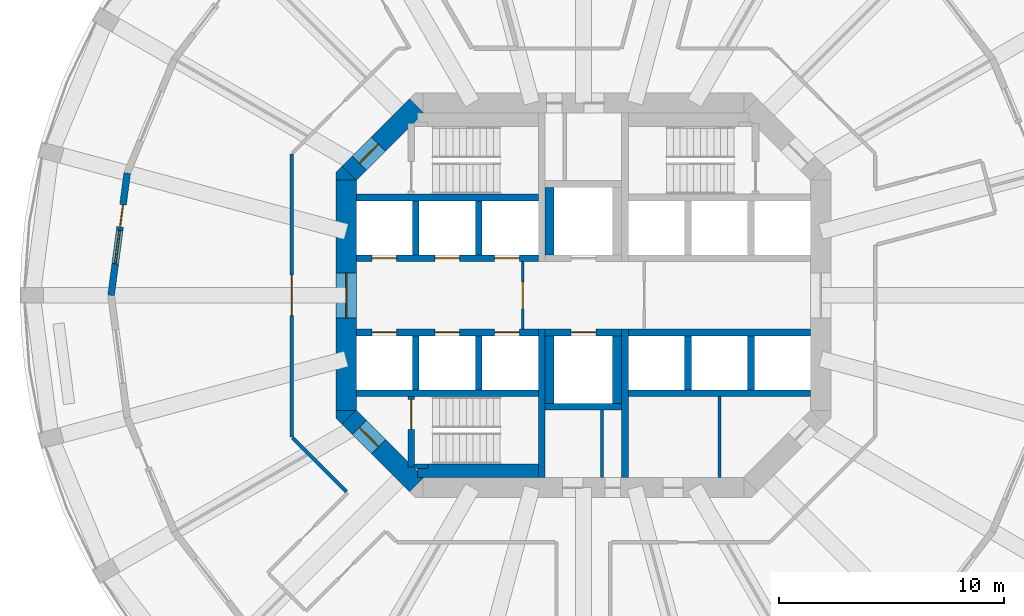
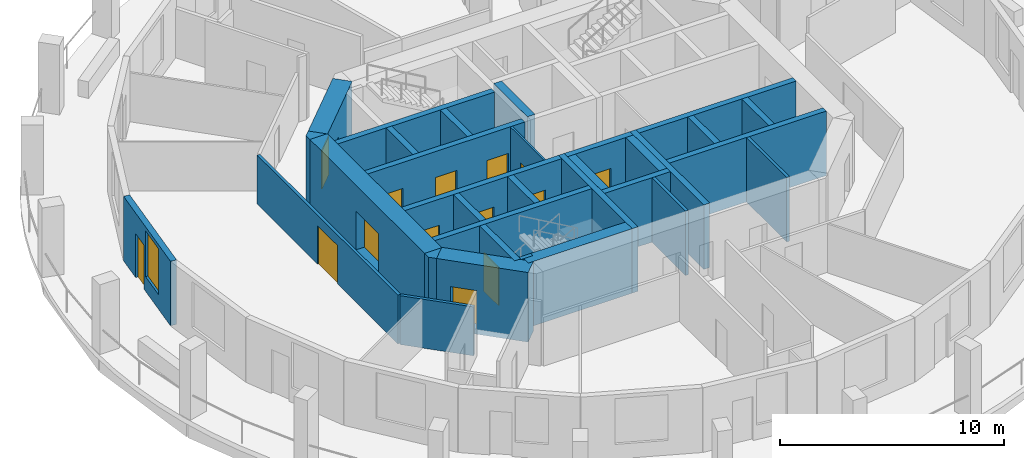
# One storey, part 3 of 8: 33 walls, 14 doors, 1 window, 15 openings.
"""IFC4 building model written with IfcOpenShell, lengths in metres."""

from ifc_helpers import new_model, si_unit, direction, frame, frame_2d, origin, place, context, subcontext, project, spatial, polyline, rectangle, outline, extrude, material, layer, layer_set, type_object, element, fill, save


model = new_model("IFC4")

# Units and contexts
model_context = context("Model", 3, precision=1e-05, world=origin(), true_north=direction((0.0, 1.0)))
body_context = subcontext(model_context, "Body", "Model", "MODEL_VIEW")
ifc_project = project(units=[si_unit("LENGTHUNIT", "METRE"), si_unit("AREAUNIT", "SQUARE_METRE"), si_unit("VOLUMEUNIT", "CUBIC_METRE"), si_unit("PLANEANGLEUNIT", "RADIAN"), si_unit("MASSUNIT", "GRAM", prefix="KILO")], contexts=[model_context])

# Site, building, storey
site_placement = place(None, origin())
site = spatial("IfcSite", under=ifc_project, at=site_placement, CompositionType="ELEMENT")
building_placement = place(site_placement, origin())
building = spatial("IfcBuilding", under=site, at=building_placement, Name="Torre Triforio", CompositionType="ELEMENT")
storey_placement = place(building_placement, frame((0.0, 0.0, 131.39990234375)))
storey = spatial("IfcBuildingStorey", under=building, at=storey_placement, Name="L29", CompositionType="ELEMENT", Elevation=131.39990234375)

# Walls
ifc_material_1 = material(Name="Concrete C60", Category="concrete")
ifc_layer_1 = layer(ifc_material_1, 0.300048828125)
ifc_layer_set_1 = layer_set([ifc_layer_1], Name="Concrete C60")
wall_type_1 = type_object("IfcWallType", Name="Core wall 300 mm C60 EI 120", PredefinedType="SHEAR", material=ifc_layer_set_1)
for number, where, z_axis, x_axis, name in (
    (1, (-1.85009765625, -8.10009765625, 0.0), (0.0, 0.0, 1.0), (0.0, 1.0, 0.0), "Core wall"),
    (2, (1.85009765625, -8.10009765625, 0.0), (0.0, 0.0, 1.0), (0.0, 1.0, 0.0), "Core wall"),
):
    element("IfcWall", number, at=place(storey_placement, frame(where, z_axis=z_axis, x_axis=x_axis)), inside=storey, type_object=wall_type_1, Name=name, PredefinedType="SHEAR", context=body_context, shape_type="SweptSolid", body=[
        extrude(rectangle(XDim=6.60009765625, YDim=0.300048828125, at=frame_2d((3.300048828125, 0.0))), origin(), (0.0, 0.0, 1.0), 3.52001953125),
    ])

# Wall, opening, door
ifc_layer_2 = layer(ifc_material_1, 0.89990234375)
ifc_layer_set_2 = layer_set([ifc_layer_2], Name="Concrete C60")
wall_type_2 = type_object("IfcWallType", Name="Core wall 900 mm C60 EI 120", PredefinedType="SHEAR", material=ifc_layer_set_2)
wall_1_placement = place(storey_placement, frame((-10.550048828125, -5.1298828125, -0.27978515625), z_axis=(0.0, 0.0, 1.0), x_axis=(0.0, 1.0, 0.0)))
wall_1 = element("IfcWall", 3, at=wall_1_placement, inside=storey, type_object=wall_type_2, Name="Core wall", PredefinedType="SHEAR", context=body_context, shape_type="SweptSolid", body=[
    extrude(rectangle(XDim=10.259765625, YDim=0.89990234375, at=frame_2d((5.1298828125, 0.0))), origin(), (0.0, 0.0, 1.0), 3.7998046875),
])
opening_1_placement = place(wall_1_placement, frame((4.1298828125, 0.0, 0.280029296875)))
opening_1 = element("IfcOpeningElement", 4, at=opening_1_placement, cuts=wall_1, Name="Opening W-RING", PredefinedType="OPENING", context=body_context, shape_type="SweptSolid", body=[
    extrude(rectangle(XDim=2.0, YDim=2.10009765625, at=frame_2d((1.0, 1.050048828125))), frame((0.0, 0.4599609375, 0.0), z_axis=(0.0, -1.0, 0.0), x_axis=(1.0, 0.0, 0.0)), (0.0, 0.0, 1.0), 0.919921875),
])
ifc_material_2 = material(Name="Hollow metal fire door leaf")
door_type_1 = type_object("IfcDoorType", Name="Lobby door 2000 x 2100 EI 60", OperationType="DOUBLE_DOOR_SINGLE_SWING", PredefinedType="DOOR", material=ifc_material_2)
door_1_placement = place(opening_1_placement, origin())
door_1 = element("IfcDoor", 5, at=door_1_placement, inside=storey, type_object=door_type_1, Name="Core door W-RING", OperationType="DOUBLE_DOOR_SINGLE_SWING", OverallHeight=2.10009765625, OverallWidth=2.0, PredefinedType="DOOR", context=body_context, shape_type="SweptSolid", body=[
    extrude(rectangle(XDim=2.0, YDim=2.10009765625, at=frame_2d((1.0, 1.050048828125))), frame((0.0, 0.02490234375, 0.0), z_axis=(0.0, -1.0, 0.0), x_axis=(1.0, 0.0, 0.0)), (0.0, 0.0, 1.0), 0.050048828125),
])
fill(opening_1, door_1)

wall_2_placement = place(storey_placement, frame((-10.418212890625, 5.418212890625, -0.27978515625), z_axis=(0.0, 0.0, 1.0), x_axis=(0.707106781187, 0.707106781187, 0.0)))
wall_2 = element("IfcWall", 6, at=wall_2_placement, inside=storey, type_object=wall_type_2, Name="Core wall", PredefinedType="SHEAR", context=body_context, shape_type="SweptSolid", body=[
    extrude(rectangle(XDim=4.24267578125, YDim=0.89990234375, at=frame_2d((2.121337890625, 0.0))), origin(), (0.0, 0.0, 1.0), 3.7998046875),
])
opening_2_placement = place(wall_2_placement, frame((0.64990234375, 0.0, 0.280029296875)))
opening_2 = element("IfcOpeningElement", 7, at=opening_2_placement, cuts=wall_2, Name="Opening ST1-EXIT", PredefinedType="OPENING", context=body_context, shape_type="SweptSolid", body=[
    extrude(rectangle(XDim=1.199951171875, YDim=2.10009765625, at=frame_2d((0.60009765625, 1.050048828125))), frame((0.0, 0.4599609375, 0.0), z_axis=(0.0, -1.0, 0.0), x_axis=(1.0, 0.0, 0.0)), (0.0, 0.0, 1.0), 0.919921875),
])
door_type_2 = type_object("IfcDoorType", Name="Stair lobby door 1200 x 2100 EI 60", OperationType="NOTDEFINED", PredefinedType="DOOR", material=ifc_material_2)
door_2_placement = place(opening_2_placement, origin())
door_2 = element("IfcDoor", 8, at=door_2_placement, inside=storey, type_object=door_type_2, Name="Core door ST1-EXIT", OperationType="SINGLE_SWING_RIGHT", OverallHeight=2.10009765625, OverallWidth=1.199951171875, PredefinedType="DOOR", context=body_context, shape_type="SweptSolid", body=[
    extrude(rectangle(XDim=1.199951171875, YDim=2.10009765625, at=frame_2d((0.60009765625, 1.050048828125))), frame((0.0, 0.02490234375, 0.0), z_axis=(0.0, -1.0, 0.0), x_axis=(1.0, 0.0, 0.0)), (0.0, 0.0, 1.0), 0.050048828125),
])
fill(opening_2, door_2)

wall_3_placement = place(storey_placement, frame((-7.418212890625, -8.418212890625, -0.27978515625), z_axis=(0.0, 0.0, 1.0), x_axis=(-0.707106781187, 0.707106781187, 0.0)))
wall_3 = element("IfcWall", 9, at=wall_3_placement, inside=storey, type_object=wall_type_2, Name="Core wall", PredefinedType="SHEAR", context=body_context, shape_type="SweptSolid", body=[
    extrude(rectangle(XDim=4.24267578125, YDim=0.89990234375, at=frame_2d((2.121337890625, 0.0))), origin(), (0.0, 0.0, 1.0), 3.7998046875),
])
opening_3_placement = place(wall_3_placement, frame((2.392578125, 0.0, 0.280029296875)))
opening_3 = element("IfcOpeningElement", 10, at=opening_3_placement, cuts=wall_3, Name="Opening ST3-EXIT", PredefinedType="OPENING", context=body_context, shape_type="SweptSolid", body=[
    extrude(rectangle(XDim=1.199951171875, YDim=2.10009765625, at=frame_2d((0.60009765625, 1.050048828125))), frame((0.0, 0.4599609375, 0.0), z_axis=(0.0, -1.0, 0.0), x_axis=(1.0, 0.0, 0.0)), (0.0, 0.0, 1.0), 0.919921875),
])
door_3_placement = place(opening_3_placement, origin())
door_3 = element("IfcDoor", 11, at=door_3_placement, inside=storey, type_object=door_type_2, Name="Core door ST3-EXIT", OperationType="SINGLE_SWING_RIGHT", OverallHeight=2.10009765625, OverallWidth=1.199951171875, PredefinedType="DOOR", context=body_context, shape_type="SweptSolid", body=[
    extrude(rectangle(XDim=1.199951171875, YDim=2.10009765625, at=frame_2d((0.60009765625, 1.050048828125))), frame((0.0, 0.02490234375, 0.0), z_axis=(0.0, -1.0, 0.0), x_axis=(1.0, 0.0, 0.0)), (0.0, 0.0, 1.0), 0.050048828125),
])
fill(opening_3, door_3)

# Walls
wall_4_placement = place(storey_placement, frame((0.0, 0.0, -0.27978515625)))
element("IfcWall", 12, at=wall_4_placement, inside=storey, type_object=wall_type_2, Name="Core wall", PredefinedType="SHEAR", context=body_context, shape_type="SweptSolid", body=[
    extrude(outline(polyline([(-11.0, -5.472900390625), (-11.0, -5.1298828125), (-10.1298828125, -5.1298828125), (-10.736328125, -5.736328125), (-11.0, -5.472900390625)])), origin(), (0.0, 0.0, 1.0), 3.7998046875),
])
wall_5_placement = place(storey_placement, frame((0.0, 0.0, -0.27978515625)))
element("IfcWall", 13, at=wall_5_placement, inside=storey, type_object=wall_type_2, Name="Core wall", PredefinedType="SHEAR", context=body_context, shape_type="SweptSolid", body=[
    extrude(outline(polyline([(-10.736328125, 5.736328125), (-10.1298828125, 5.1298828125), (-11.0, 5.1298828125), (-11.0, 5.472900390625), (-10.736328125, 5.736328125)])), origin(), (0.0, 0.0, 1.0), 3.7998046875),
])
ifc_material_3 = material(Name="Plasterboard on metal studs")
ifc_layer_3 = layer(ifc_material_3, 0.14990234375)
ifc_layer_set_3 = layer_set([ifc_layer_3], Name="Plasterboard on metal studs")
wall_type_3 = type_object("IfcWallType", Name="Corridor and tenancy wall 150 mm EI 60", PredefinedType="PARTITIONING", material=ifc_layer_set_3)
wall_6_placement = place(storey_placement, frame((-10.534423828125, -8.7314453125, 0.0), z_axis=(0.0, 0.0, 1.0), x_axis=(-0.707106781187, 0.707106781187, 0.0)))
element("IfcWall", 14, at=wall_6_placement, inside=storey, type_object=wall_type_3, Name="Partition 3", PredefinedType="PARTITIONING", context=body_context, shape_type="SweptSolid", body=[
    extrude(rectangle(XDim=3.399169921875, YDim=0.14990234375, at=frame_2d((1.69970703125, 0.0))), origin(), (0.0, 0.0, 1.0), 2.670166015625),
])

# Wall, opening, door
wall_7_placement = place(storey_placement, frame((-12.97509765625, -6.291015625, 0.0), z_axis=(0.0, 0.0, 1.0), x_axis=(0.0, 1.0, 0.0)))
wall_7 = element("IfcWall", 15, at=wall_7_placement, inside=storey, type_object=wall_type_3, Name="Partition 4", PredefinedType="PARTITIONING", context=body_context, shape_type="SweptSolid", body=[
    extrude(rectangle(XDim=12.58203125, YDim=0.14990234375, at=frame_2d((6.291015625, 0.0))), origin(), (0.0, 0.0, 1.0), 2.670166015625),
])
opening_4_placement = place(wall_7_placement, frame((5.390869140625, 0.0, 0.0)))
opening_4 = element("IfcOpeningElement", 16, at=opening_4_placement, cuts=wall_7, Name="Opening D2-01", PredefinedType="OPENING", context=body_context, shape_type="SweptSolid", body=[
    extrude(rectangle(XDim=1.800048828125, YDim=2.10009765625, at=frame_2d((0.89990234375, 1.050048828125))), frame((0.0, 0.0849609375, 0.0), z_axis=(0.0, -1.0, 0.0), x_axis=(1.0, 0.0, 0.0)), (0.0, 0.0, 1.0), 0.169921875),
])
ifc_material_4 = material(Name="Timber", Category="wood")
door_type_3 = type_object("IfcDoorType", Name="Door 1800 x 2100 double leaf EI 30", OperationType="DOUBLE_DOOR_SINGLE_SWING", PredefinedType="DOOR", material=ifc_material_4)
door_4_placement = place(opening_4_placement, origin())
door_4 = element("IfcDoor", 17, at=door_4_placement, inside=storey, type_object=door_type_3, Name="Door D2-01", OperationType="DOUBLE_DOOR_SINGLE_SWING", OverallHeight=2.10009765625, OverallWidth=1.800048828125, PredefinedType="DOOR", context=body_context, shape_type="SweptSolid", body=[
    extrude(rectangle(XDim=1.800048828125, YDim=2.10009765625, at=frame_2d((0.89990234375, 1.050048828125))), frame((0.0, 0.02490234375, 0.0), z_axis=(0.0, -1.0, 0.0), x_axis=(1.0, 0.0, 0.0)), (0.0, 0.0, 1.0), 0.050048828125),
])
fill(opening_4, door_4)

ifc_material_5 = material(Name="Block and board partition")
ifc_layer_4 = layer(ifc_material_5, 0.10009765625)
ifc_layer_set_4 = layer_set([ifc_layer_4], Name="Block and board partition")
wall_type_4 = type_object("IfcWallType", Name="Partition 100 mm EI 120", PredefinedType="PARTITIONING", material=ifc_layer_set_4)
wall_8_placement = place(storey_placement, frame((-2.699951171875, -1.5, 0.0), z_axis=(0.0, 0.0, 1.0), x_axis=(0.0, 1.0, 0.0)))
wall_8 = element("IfcWall", 18, at=wall_8_placement, inside=storey, type_object=wall_type_4, Name="Partition", PredefinedType="PARTITIONING", context=body_context, shape_type="SweptSolid", body=[
    extrude(rectangle(XDim=3.0, YDim=0.10009765625, at=frame_2d((1.5, 0.0))), origin(), (0.0, 0.0, 1.0), 3.52001953125),
])
opening_5_placement = place(wall_8_placement, frame((0.89990234375, 0.0, 0.0)))
opening_5 = element("IfcOpeningElement", 19, at=opening_5_placement, cuts=wall_8, Name="Opening FF-W", PredefinedType="OPENING", context=body_context, shape_type="SweptSolid", body=[
    extrude(rectangle(XDim=1.199951171875, YDim=2.10009765625, at=frame_2d((0.60009765625, 1.050048828125))), frame((0.0, 0.06005859375, 0.0), z_axis=(0.0, -1.0, 0.0), x_axis=(1.0, 0.0, 0.0)), (0.0, 0.0, 1.0), 0.1201171875),
])
door_type_4 = type_object("IfcDoorType", Name="Fire-fighting lobby door 1200 x 2100 EI 60", OperationType="NOTDEFINED", PredefinedType="DOOR", material=ifc_material_2)
door_5_placement = place(opening_5_placement, origin())
door_5 = element("IfcDoor", 20, at=door_5_placement, inside=storey, type_object=door_type_4, Name="Core door FF-W", OperationType="SINGLE_SWING_RIGHT", OverallHeight=2.10009765625, OverallWidth=1.199951171875, PredefinedType="DOOR", context=body_context, shape_type="SweptSolid", body=[
    extrude(rectangle(XDim=1.199951171875, YDim=2.10009765625, at=frame_2d((0.60009765625, 1.050048828125))), frame((0.0, 0.02490234375, 0.0), z_axis=(0.0, -1.0, 0.0), x_axis=(1.0, 0.0, 0.0)), (0.0, 0.0, 1.0), 0.050048828125),
])
fill(opening_5, door_5)

# Walls
ifc_layer_5 = layer(ifc_material_5, 0.14990234375)
ifc_layer_set_5 = layer_set([ifc_layer_5], Name="Block and board partition")
wall_type_5 = type_object("IfcWallType", Name="Partition 150 mm", PredefinedType="PARTITIONING", material=ifc_layer_set_5)
wall_9_placement = place(storey_placement, frame((6.050048828125, -8.10009765625, 0.0), z_axis=(0.0, 0.0, 1.0), x_axis=(0.0, 1.0, 0.0)))
element("IfcWall", 21, at=wall_9_placement, inside=storey, type_object=wall_type_5, Name="Partition", PredefinedType="PARTITIONING", context=body_context, shape_type="SweptSolid", body=[
    extrude(rectangle(XDim=3.60009765625, YDim=0.14990234375, at=frame_2d((1.800048828125, 0.0))), origin(), (0.0, 0.0, 1.0), 3.52001953125),
])
ifc_layer_6 = layer(ifc_material_5, 0.14990234375)
ifc_layer_set_6 = layer_set([ifc_layer_6], Name="Block and board partition")
wall_type_6 = type_object("IfcWallType", Name="Partition 150 mm EI 120", PredefinedType="PARTITIONING", material=ifc_layer_set_6)
wall_10_placement = place(storey_placement, frame((0.824951171875, -8.10009765625, 0.0), z_axis=(0.0, 0.0, 1.0), x_axis=(0.0, 1.0, 0.0)))
element("IfcWall", 22, at=wall_10_placement, inside=storey, type_object=wall_type_6, Name="Partition", PredefinedType="PARTITIONING", context=body_context, shape_type="SweptSolid", body=[
    extrude(rectangle(XDim=3.0, YDim=0.14990234375, at=frame_2d((1.5, 0.0))), origin(), (0.0, 0.0, 1.0), 3.52001953125),
])
ifc_layer_7 = layer(ifc_material_1, 0.300048828125)
ifc_layer_set_7 = layer_set([ifc_layer_7], Name="Concrete C60")
wall_type_7 = type_object("IfcWallType", Name="Shaft wall 300 mm C60 EI 120", PredefinedType="SOLIDWALL", material=ifc_layer_set_7)
for number, where, z_axis, x_axis, name in (
    (23, (-10.10009765625, 4.35009765625, 0.0), (0.0, 0.0, 1.0), (1.0, 0.0, 0.0), "Shaft wall"),
    (24, (-10.10009765625, -4.35009765625, 0.0), (0.0, 0.0, 1.0), (1.0, 0.0, 0.0), "Shaft wall"),
    (25, (2.0, -4.35009765625, 0.0), (0.0, 0.0, 1.0), (1.0, 0.0, 0.0), "Shaft wall"),
):
    element("IfcWall", number, at=place(storey_placement, frame(where, z_axis=z_axis, x_axis=x_axis)), inside=storey, type_object=wall_type_7, Name=name, PredefinedType="SOLIDWALL", context=body_context, shape_type="SweptSolid", body=[
        extrude(rectangle(XDim=8.10009765625, YDim=0.300048828125, at=frame_2d((4.050048828125, 0.0))), origin(), (0.0, 0.0, 1.0), 3.52001953125),
    ])

# Wall, openings, doors
wall_11_placement = place(storey_placement, frame((-10.10009765625, 1.64990234375, 0.0), z_axis=(0.0, 0.0, 1.0), x_axis=(1.0, 0.0, 0.0)))
wall_11 = element("IfcWall", 26, at=wall_11_placement, inside=storey, type_object=wall_type_7, Name="Shaft wall", PredefinedType="SOLIDWALL", context=body_context, shape_type="SweptSolid", body=[
    extrude(rectangle(XDim=8.10009765625, YDim=0.300048828125, at=frame_2d((4.050048828125, 0.0))), origin(), (0.0, 0.0, 1.0), 3.52001953125),
])
opening_6_placement = place(wall_11_placement, frame((0.699951171875, 0.0, 0.0)))
opening_6 = element("IfcOpeningElement", 27, at=opening_6_placement, cuts=wall_11, Name="Opening LD", PredefinedType="OPENING", context=body_context, shape_type="SweptSolid", body=[
    extrude(rectangle(XDim=1.10009765625, YDim=2.10009765625, at=frame_2d((0.550048828125, 1.050048828125))), frame((0.0, 0.159912109375, 0.0), z_axis=(0.0, -1.0, 0.0), x_axis=(1.0, 0.0, 0.0)), (0.0, 0.0, 1.0), 0.320068359375),
])
opening_7_placement = place(wall_11_placement, frame((3.5, 0.0, 0.0)))
opening_7 = element("IfcOpeningElement", 28, at=opening_7_placement, cuts=wall_11, Name="Opening LD", PredefinedType="OPENING", context=body_context, shape_type="SweptSolid", body=[
    extrude(rectangle(XDim=1.10009765625, YDim=2.10009765625, at=frame_2d((0.550048828125, 1.050048828125))), frame((0.0, 0.159912109375, 0.0), z_axis=(0.0, -1.0, 0.0), x_axis=(1.0, 0.0, 0.0)), (0.0, 0.0, 1.0), 0.320068359375),
])
opening_8_placement = place(wall_11_placement, frame((6.14990234375, 0.0, 0.0)))
opening_8 = element("IfcOpeningElement", 29, at=opening_8_placement, cuts=wall_11, Name="Opening LD", PredefinedType="OPENING", context=body_context, shape_type="SweptSolid", body=[
    extrude(rectangle(XDim=1.10009765625, YDim=2.10009765625, at=frame_2d((0.550048828125, 1.050048828125))), frame((0.0, 0.159912109375, 0.0), z_axis=(0.0, -1.0, 0.0), x_axis=(1.0, 0.0, 0.0)), (0.0, 0.0, 1.0), 0.320068359375),
])
door_type_5 = type_object("IfcDoorType", Name="Landing door 1100 x 2100 EI 60", OperationType="DOUBLE_DOOR_SLIDING", PredefinedType="DOOR", material=ifc_material_2)
door_6_placement = place(opening_6_placement, origin())
door_6 = element("IfcDoor", 30, at=door_6_placement, inside=storey, type_object=door_type_5, Name="Landing door LR1", OperationType="DOUBLE_DOOR_SLIDING", OverallHeight=2.10009765625, OverallWidth=1.10009765625, PredefinedType="DOOR", context=body_context, shape_type="SweptSolid", body=[
    extrude(rectangle(XDim=1.10009765625, YDim=2.10009765625, at=frame_2d((0.550048828125, 1.050048828125))), frame((0.0, 0.02490234375, 0.0), z_axis=(0.0, -1.0, 0.0), x_axis=(1.0, 0.0, 0.0)), (0.0, 0.0, 1.0), 0.050048828125),
])
fill(opening_6, door_6)
door_7_placement = place(opening_7_placement, origin())
door_7 = element("IfcDoor", 31, at=door_7_placement, inside=storey, type_object=door_type_5, Name="Landing door LR2", OperationType="DOUBLE_DOOR_SLIDING", OverallHeight=2.10009765625, OverallWidth=1.10009765625, PredefinedType="DOOR", context=body_context, shape_type="SweptSolid", body=[
    extrude(rectangle(XDim=1.10009765625, YDim=2.10009765625, at=frame_2d((0.550048828125, 1.050048828125))), frame((0.0, 0.02490234375, 0.0), z_axis=(0.0, -1.0, 0.0), x_axis=(1.0, 0.0, 0.0)), (0.0, 0.0, 1.0), 0.050048828125),
])
fill(opening_7, door_7)
door_8_placement = place(opening_8_placement, origin())
door_8 = element("IfcDoor", 32, at=door_8_placement, inside=storey, type_object=door_type_5, Name="Landing door LR3", OperationType="DOUBLE_DOOR_SLIDING", OverallHeight=2.10009765625, OverallWidth=1.10009765625, PredefinedType="DOOR", context=body_context, shape_type="SweptSolid", body=[
    extrude(rectangle(XDim=1.10009765625, YDim=2.10009765625, at=frame_2d((0.550048828125, 1.050048828125))), frame((0.0, 0.02490234375, 0.0), z_axis=(0.0, -1.0, 0.0), x_axis=(1.0, 0.0, 0.0)), (0.0, 0.0, 1.0), 0.050048828125),
])
fill(opening_8, door_8)

wall_12_placement = place(storey_placement, frame((-10.10009765625, -1.64990234375, 0.0), z_axis=(0.0, 0.0, 1.0), x_axis=(1.0, 0.0, 0.0)))
wall_12 = element("IfcWall", 33, at=wall_12_placement, inside=storey, type_object=wall_type_7, Name="Shaft wall", PredefinedType="SOLIDWALL", context=body_context, shape_type="SweptSolid", body=[
    extrude(rectangle(XDim=8.10009765625, YDim=0.300048828125, at=frame_2d((4.050048828125, 0.0))), origin(), (0.0, 0.0, 1.0), 3.52001953125),
])
opening_9_placement = place(wall_12_placement, frame((0.699951171875, 0.0, 0.0)))
opening_9 = element("IfcOpeningElement", 34, at=opening_9_placement, cuts=wall_12, Name="Opening LD", PredefinedType="OPENING", context=body_context, shape_type="SweptSolid", body=[
    extrude(rectangle(XDim=1.10009765625, YDim=2.10009765625, at=frame_2d((0.550048828125, 1.050048828125))), frame((0.0, 0.159912109375, 0.0), z_axis=(0.0, -1.0, 0.0), x_axis=(1.0, 0.0, 0.0)), (0.0, 0.0, 1.0), 0.320068359375),
])
opening_10_placement = place(wall_12_placement, frame((3.5, 0.0, 0.0)))
opening_10 = element("IfcOpeningElement", 35, at=opening_10_placement, cuts=wall_12, Name="Opening LD", PredefinedType="OPENING", context=body_context, shape_type="SweptSolid", body=[
    extrude(rectangle(XDim=1.10009765625, YDim=2.10009765625, at=frame_2d((0.550048828125, 1.050048828125))), frame((0.0, 0.159912109375, 0.0), z_axis=(0.0, -1.0, 0.0), x_axis=(1.0, 0.0, 0.0)), (0.0, 0.0, 1.0), 0.320068359375),
])
opening_11_placement = place(wall_12_placement, frame((6.14990234375, 0.0, 0.0)))
opening_11 = element("IfcOpeningElement", 36, at=opening_11_placement, cuts=wall_12, Name="Opening LD", PredefinedType="OPENING", context=body_context, shape_type="SweptSolid", body=[
    extrude(rectangle(XDim=1.10009765625, YDim=2.10009765625, at=frame_2d((0.550048828125, 1.050048828125))), frame((0.0, 0.159912109375, 0.0), z_axis=(0.0, -1.0, 0.0), x_axis=(1.0, 0.0, 0.0)), (0.0, 0.0, 1.0), 0.320068359375),
])
door_9_placement = place(opening_9_placement, origin())
door_9 = element("IfcDoor", 37, at=door_9_placement, inside=storey, type_object=door_type_5, Name="Landing door LR4", OperationType="DOUBLE_DOOR_SLIDING", OverallHeight=2.10009765625, OverallWidth=1.10009765625, PredefinedType="DOOR", context=body_context, shape_type="SweptSolid", body=[
    extrude(rectangle(XDim=1.10009765625, YDim=2.10009765625, at=frame_2d((0.550048828125, 1.050048828125))), frame((0.0, 0.02490234375, 0.0), z_axis=(0.0, -1.0, 0.0), x_axis=(1.0, 0.0, 0.0)), (0.0, 0.0, 1.0), 0.050048828125),
])
fill(opening_9, door_9)
door_10_placement = place(opening_10_placement, origin())
door_10 = element("IfcDoor", 38, at=door_10_placement, inside=storey, type_object=door_type_5, Name="Landing door LR5", OperationType="DOUBLE_DOOR_SLIDING", OverallHeight=2.10009765625, OverallWidth=1.10009765625, PredefinedType="DOOR", context=body_context, shape_type="SweptSolid", body=[
    extrude(rectangle(XDim=1.10009765625, YDim=2.10009765625, at=frame_2d((0.550048828125, 1.050048828125))), frame((0.0, 0.02490234375, 0.0), z_axis=(0.0, -1.0, 0.0), x_axis=(1.0, 0.0, 0.0)), (0.0, 0.0, 1.0), 0.050048828125),
])
fill(opening_10, door_10)
door_11_placement = place(opening_11_placement, origin())
door_11 = element("IfcDoor", 39, at=door_11_placement, inside=storey, type_object=door_type_5, Name="Landing door LR6", OperationType="DOUBLE_DOOR_SLIDING", OverallHeight=2.10009765625, OverallWidth=1.10009765625, PredefinedType="DOOR", context=body_context, shape_type="SweptSolid", body=[
    extrude(rectangle(XDim=1.10009765625, YDim=2.10009765625, at=frame_2d((0.550048828125, 1.050048828125))), frame((0.0, 0.02490234375, 0.0), z_axis=(0.0, -1.0, 0.0), x_axis=(1.0, 0.0, 0.0)), (0.0, 0.0, 1.0), 0.050048828125),
])
fill(opening_11, door_11)

# Walls
wall_13_placement = place(storey_placement, frame((2.0, -1.64990234375, 0.0), z_axis=(0.0, 0.0, 1.0), x_axis=(1.0, 0.0, 0.0)))
element("IfcWall", 40, at=wall_13_placement, inside=storey, type_object=wall_type_7, Name="Shaft wall", PredefinedType="SOLIDWALL", context=body_context, shape_type="SweptSolid", body=[
    extrude(rectangle(XDim=8.10009765625, YDim=0.300048828125, at=frame_2d((4.050048828125, 0.0))), origin(), (0.0, 0.0, 1.0), 3.52001953125),
])
for number, where, z_axis, x_axis, name in (
    (41, (-7.449951171875, 1.800048828125, 0.0), (0.0, 0.0, 1.0), (0.0, 1.0, 0.0), "Shaft wall"),
    (42, (-7.449951171875, -4.199951171875, 0.0), (0.0, 0.0, 1.0), (0.0, 1.0, 0.0), "Shaft wall"),
    (43, (-4.64990234375, 1.800048828125, 0.0), (0.0, 0.0, 1.0), (0.0, 1.0, 0.0), "Shaft wall"),
    (44, (-4.64990234375, -4.199951171875, 0.0), (0.0, 0.0, 1.0), (0.0, 1.0, 0.0), "Shaft wall"),
    (45, (4.64990234375, -4.199951171875, 0.0), (0.0, 0.0, 1.0), (0.0, 1.0, 0.0), "Shaft wall"),
    (46, (7.449951171875, -4.199951171875, 0.0), (0.0, 0.0, 1.0), (0.0, 1.0, 0.0), "Shaft wall"),
):
    element("IfcWall", number, at=place(storey_placement, frame(where, z_axis=z_axis, x_axis=x_axis)), inside=storey, type_object=wall_type_7, Name=name, PredefinedType="SOLIDWALL", context=body_context, shape_type="SweptSolid", body=[
        extrude(rectangle(XDim=2.39990234375, YDim=0.300048828125, at=frame_2d((1.199951171875, 0.0))), origin(), (0.0, 0.0, 1.0), 3.52001953125),
    ])

# Wall, opening, door
wall_14_placement = place(storey_placement, frame((-1.699951171875, -1.64990234375, 0.0), z_axis=(0.0, 0.0, 1.0), x_axis=(1.0, 0.0, 0.0)))
wall_14 = element("IfcWall", 47, at=wall_14_placement, inside=storey, type_object=wall_type_7, Name="Shaft wall", PredefinedType="SOLIDWALL", context=body_context, shape_type="SweptSolid", body=[
    extrude(rectangle(XDim=3.39990234375, YDim=0.300048828125, at=frame_2d((1.699951171875, 0.0))), origin(), (0.0, 0.0, 1.0), 3.52001953125),
])
opening_12_placement = place(wall_14_placement, frame((1.14990234375, 0.0, 0.0)))
opening_12 = element("IfcOpeningElement", 48, at=opening_12_placement, cuts=wall_14, Name="Opening LD", PredefinedType="OPENING", context=body_context, shape_type="SweptSolid", body=[
    extrude(rectangle(XDim=1.10009765625, YDim=2.10009765625, at=frame_2d((0.550048828125, 1.050048828125))), frame((0.0, 0.159912109375, 0.0), z_axis=(0.0, -1.0, 0.0), x_axis=(1.0, 0.0, 0.0)), (0.0, 0.0, 1.0), 0.320068359375),
])
door_12_placement = place(opening_12_placement, origin())
door_12 = element("IfcDoor", 49, at=door_12_placement, inside=storey, type_object=door_type_5, Name="Landing door FFL2", OperationType="DOUBLE_DOOR_SLIDING", OverallHeight=2.10009765625, OverallWidth=1.10009765625, PredefinedType="DOOR", context=body_context, shape_type="SweptSolid", body=[
    extrude(rectangle(XDim=1.10009765625, YDim=2.10009765625, at=frame_2d((0.550048828125, 1.050048828125))), frame((0.0, 0.02490234375, 0.0), z_axis=(0.0, -1.0, 0.0), x_axis=(1.0, 0.0, 0.0)), (0.0, 0.0, 1.0), 0.050048828125),
])
fill(opening_12, door_12)

# Walls
wall_15_placement = place(storey_placement, frame((-1.699951171875, -4.949951171875, 0.0), z_axis=(0.0, 0.0, 1.0), x_axis=(1.0, 0.0, 0.0)))
element("IfcWall", 50, at=wall_15_placement, inside=storey, type_object=wall_type_7, Name="Shaft wall", PredefinedType="SOLIDWALL", context=body_context, shape_type="SweptSolid", body=[
    extrude(rectangle(XDim=3.39990234375, YDim=0.300048828125, at=frame_2d((1.699951171875, 0.0))), origin(), (0.0, 0.0, 1.0), 3.52001953125),
])
ifc_layer_8 = layer(ifc_material_1, 0.39990234375)
ifc_layer_set_8 = layer_set([ifc_layer_8], Name="Concrete C60")
wall_type_8 = type_object("IfcWallType", Name="Shaft wall 400 mm C60 EI 120", PredefinedType="SOLIDWALL", material=ifc_layer_set_8)
for number, where, z_axis, x_axis, name in (
    (51, (-1.5, 1.800048828125, 0.0), (0.0, 0.0, 1.0), (0.0, 1.0, 0.0), "Shaft wall"),
    (52, (-1.5, -4.800048828125, 0.0), (0.0, 0.0, 1.0), (0.0, 1.0, 0.0), "Shaft wall"),
    (53, (1.5, -4.800048828125, 0.0), (0.0, 0.0, 1.0), (0.0, 1.0, 0.0), "Shaft wall"),
):
    element("IfcWall", number, at=place(storey_placement, frame(where, z_axis=z_axis, x_axis=x_axis)), inside=storey, type_object=wall_type_8, Name=name, PredefinedType="SOLIDWALL", context=body_context, shape_type="SweptSolid", body=[
        extrude(rectangle(XDim=3.0, YDim=0.39990234375, at=frame_2d((1.5, 0.0))), origin(), (0.0, 0.0, 1.0), 3.52001953125),
    ])
ifc_layer_9 = layer(ifc_material_1, 0.199951171875)
ifc_layer_set_9 = layer_set([ifc_layer_9], Name="Concrete C60")
wall_type_9 = type_object("IfcWallType", Name="Stair wall 200 mm C60 EI 120", PredefinedType="SHEAR", material=ifc_layer_set_9)
wall_16_placement = place(storey_placement, frame((-7.5, -7.60009765625, 0.0), z_axis=(0.0, 0.0, 1.0), x_axis=(1.0, 0.0, 0.0)))
element("IfcWall", 54, at=wall_16_placement, inside=storey, type_object=wall_type_9, Name="Stair wall", PredefinedType="SHEAR", context=body_context, shape_type="SweptSolid", body=[
    extrude(rectangle(XDim=0.60009765625, YDim=0.199951171875, at=frame_2d((0.300048828125, 0.0))), origin(), (0.0, 0.0, 1.0), 3.52001953125),
])

# Wall, opening, door
ifc_layer_10 = layer(ifc_material_1, 0.300048828125)
ifc_layer_set_10 = layer_set([ifc_layer_10], Name="Concrete C60")
wall_type_10 = type_object("IfcWallType", Name="Stair wall 300 mm C60 EI 120", PredefinedType="SHEAR", material=ifc_layer_set_10)
wall_17_placement = place(storey_placement, frame((-7.64990234375, -7.639892578125, 0.0), z_axis=(0.0, 0.0, 1.0), x_axis=(0.0, 1.0, 0.0)))
wall_17 = element("IfcWall", 55, at=wall_17_placement, inside=storey, type_object=wall_type_10, Name="Stair wall", PredefinedType="SHEAR", context=body_context, shape_type="SweptSolid", body=[
    extrude(rectangle(XDim=3.139892578125, YDim=0.300048828125, at=frame_2d((1.56982421875, 0.0))), origin(), (0.0, 0.0, 1.0), 3.52001953125),
])
opening_13_placement = place(wall_17_placement, frame((1.679931640625, 0.0, 0.0)))
opening_13 = element("IfcOpeningElement", 56, at=opening_13_placement, cuts=wall_17, Name="Opening ST3-STA", PredefinedType="OPENING", context=body_context, shape_type="SweptSolid", body=[
    extrude(rectangle(XDim=1.320068359375, YDim=2.10009765625, at=frame_2d((0.66015625, 1.050048828125))), frame((0.0, 0.159912109375, 0.0), z_axis=(0.0, -1.0, 0.0), x_axis=(1.0, 0.0, 0.0)), (0.0, 0.0, 1.0), 0.320068359375),
])
door_type_6 = type_object("IfcDoorType", Name="Stair door 1320 x 2100 EI 90", OperationType="DOUBLE_DOOR_SINGLE_SWING", PredefinedType="DOOR", material=ifc_material_2)
door_13_placement = place(opening_13_placement, origin())
door_13 = element("IfcDoor", 57, at=door_13_placement, inside=storey, type_object=door_type_6, Name="Core door ST3-ST", OperationType="DOUBLE_DOOR_SINGLE_SWING", OverallHeight=2.10009765625, OverallWidth=1.320068359375, PredefinedType="DOOR", context=body_context, shape_type="SweptSolid", body=[
    extrude(rectangle(XDim=1.320068359375, YDim=2.10009765625, at=frame_2d((0.66015625, 1.050048828125))), frame((0.0, 0.02490234375, 0.0), z_axis=(0.0, -1.0, 0.0), x_axis=(1.0, 0.0, 0.0)), (0.0, 0.0, 1.0), 0.050048828125),
])
fill(opening_13, door_13)

# Wall
ifc_layer_11 = layer(ifc_material_1, 0.60009765625)
ifc_layer_set_11 = layer_set([ifc_layer_11], Name="Concrete C60")
wall_type_11 = type_object("IfcWallType", Name="Stair wall 600 mm C60 EI 120", PredefinedType="SHEAR", material=ifc_layer_set_11)
wall_18_placement = place(storey_placement, frame((-7.3701171875, -7.800048828125, 0.0), z_axis=(0.0, 0.0, 1.0), x_axis=(1.0, 0.0, 0.0)))
element("IfcWall", 58, at=wall_18_placement, inside=storey, type_object=wall_type_11, Name="Stair wall", PredefinedType="SHEAR", context=body_context, shape_type="SweptSolid", body=[
    extrude(rectangle(XDim=5.3701171875, YDim=0.60009765625, at=frame_2d((2.68505859375, 0.0))), origin(), (0.0, 0.0, 1.0), 3.52001953125),
])

# Wall, openings, door, window
ifc_material_6 = material(Name="Limestone cladding", Category="masonry")
ifc_layer_12 = layer(ifc_material_6, 0.10009765625)
ifc_material_7 = material(Name="Concrete C40", Category="concrete")
ifc_layer_13 = layer(ifc_material_7, 0.199951171875)
ifc_layer_set_12 = layer_set([ifc_layer_12, ifc_layer_13], Name="Limestone cladding / Concrete C40")
wall_type_12 = type_object("IfcWallType", Name="Stone-faced composite wall 300", PredefinedType="STANDARD", material=ifc_layer_set_12)
wall_19_placement = place(storey_placement, frame((-20.284423828125, 5.435302734375, 0.0), z_axis=(0.0, 0.0, 1.0), x_axis=(-0.130527087244, -0.991444743541, 0.0)))
wall_19 = element("IfcWall", 59, at=wall_19_placement, inside=storey, type_object=wall_type_12, Name="External wall L29 bay 12", PredefinedType="STANDARD", context=body_context, shape_type="SweptSolid", body=[
    extrude(rectangle(XDim=5.482177734375, YDim=0.300048828125, at=frame_2d((2.7412109375, 0.0))), origin(), (0.0, 0.0, 1.0), 3.52001953125),
])
opening_14_placement = place(wall_19_placement, frame((1.416015625, 0.0, 0.0)))
opening_14 = element("IfcOpeningElement", 60, at=opening_14_placement, cuts=wall_19, Name="Opening D2-D12", PredefinedType="OPENING", context=body_context, shape_type="SweptSolid", body=[
    extrude(rectangle(XDim=1.0, YDim=2.39990234375, at=frame_2d((0.5, 1.199951171875))), frame((0.0, 0.159912109375, 0.0), z_axis=(0.0, -1.0, 0.0), x_axis=(1.0, 0.0, 0.0)), (0.0, 0.0, 1.0), 0.320068359375),
])
opening_15_placement = place(wall_19_placement, frame((2.566162109375, 0.0, 0.800048828125)))
opening_15 = element("IfcOpeningElement", 61, at=opening_15_placement, cuts=wall_19, Name="Opening D2-W12A", PredefinedType="OPENING", context=body_context, shape_type="SweptSolid", body=[
    extrude(rectangle(XDim=1.5, YDim=2.5, at=frame_2d((0.75, 1.25))), frame((0.0, 0.159912109375, 0.0), z_axis=(0.0, -1.0, 0.0), x_axis=(1.0, 0.0, 0.0)), (0.0, 0.0, 1.0), 0.320068359375),
])
ifc_material_8 = material(Name="Aluminium frame with clear double glazing", Category="aluminium")
door_type_7 = type_object("IfcDoorType", Name="Loggia door 1000 x 2400", OperationType="NOTDEFINED", PredefinedType="DOOR", material=ifc_material_8)
door_14_placement = place(opening_14_placement, origin())
door_14 = element("IfcDoor", 62, at=door_14_placement, inside=storey, type_object=door_type_7, Name="Loggia door L29 bay 12", OperationType="SINGLE_SWING_LEFT", OverallHeight=2.39990234375, OverallWidth=1.0, PredefinedType="DOOR", context=body_context, shape_type="SweptSolid", body=[
    extrude(rectangle(XDim=1.0, YDim=2.39990234375, at=frame_2d((0.5, 1.199951171875))), frame((0.0, 0.02490234375, 0.0), z_axis=(0.0, -1.0, 0.0), x_axis=(1.0, 0.0, 0.0)), (0.0, 0.0, 1.0), 0.050048828125),
])
fill(opening_14, door_14)
window_type = type_object("IfcWindowType", Name="Side window 1500 x 2500", PartitioningType="SINGLE_PANEL", PredefinedType="WINDOW", material=ifc_material_8)
window_placement = place(opening_15_placement, origin())
window = element("IfcWindow", 63, at=window_placement, inside=storey, type_object=window_type, Name="Side window EWN13 L29 bay 12", OverallHeight=2.5, OverallWidth=1.5, PartitioningType="SINGLE_PANEL", PredefinedType="WINDOW", context=body_context, shape_type="SweptSolid", body=[
    extrude(rectangle(XDim=1.5, YDim=2.5, at=frame_2d((0.75, 1.25))), frame((0.0, 0.030029296875, 0.0), z_axis=(0.0, -1.0, 0.0), x_axis=(1.0, 0.0, 0.0)), (0.0, 0.0, 1.0), 0.06005859375),
])
fill(opening_15, window)

save(model, "model.ifc")
